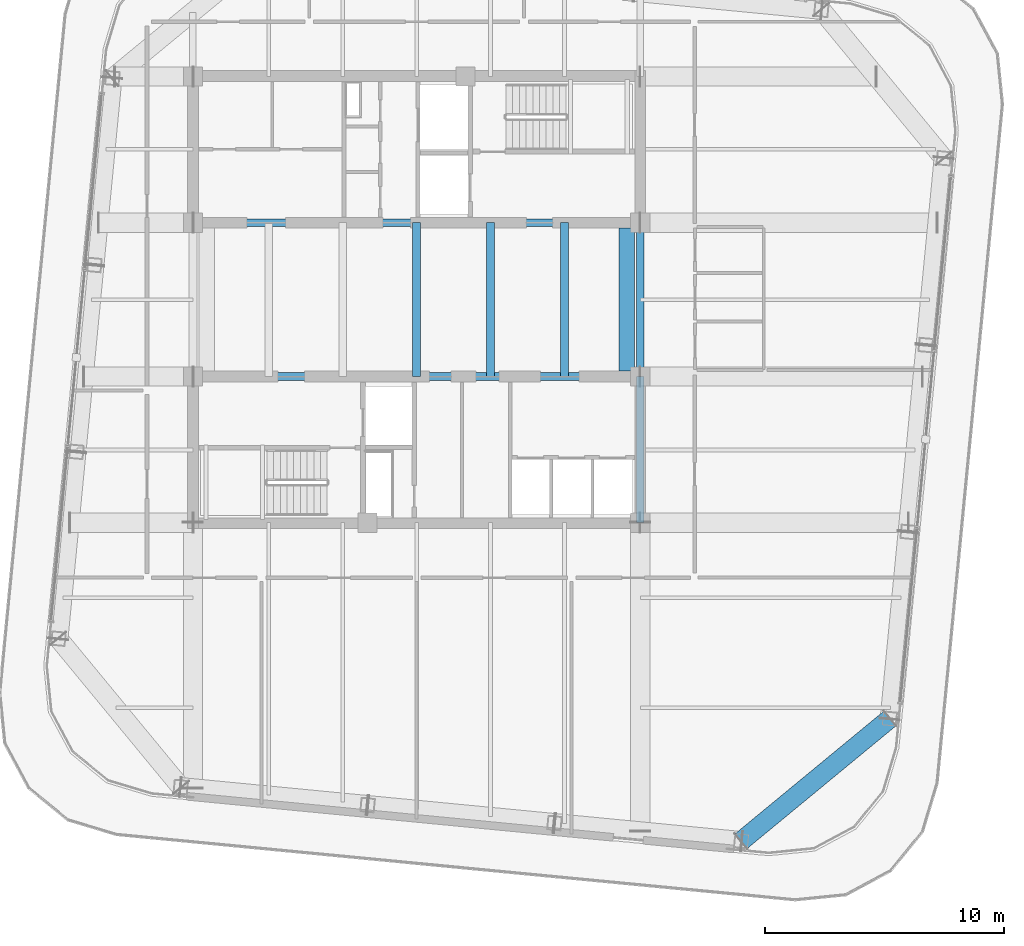
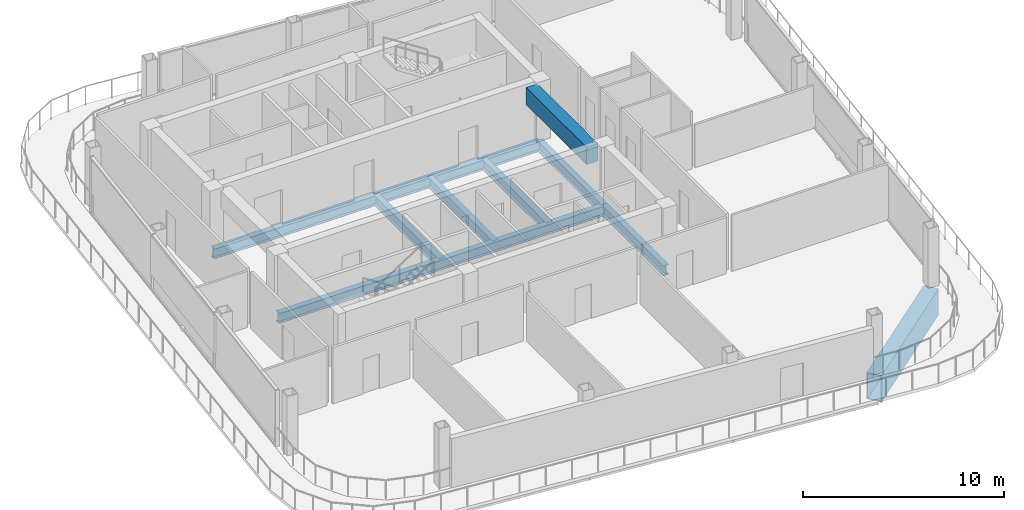
# One storey, part 5 of 20: 9 beams.
"""IFC4 building model written with IfcOpenShell, lengths in metres."""

from ifc_helpers import new_model, si_unit, direction, frame, origin, origin_2d, place, context, subcontext, project, spatial, rectangle, hollow_rectangle, i_section, extrude, material, material_profile, profile_set, type_object, element, save


model = new_model("IFC4")

# Units and contexts
model_context = context("Model", 3, precision=1e-05, world=origin(), true_north=direction((0.0, 1.0)))
body_context = subcontext(model_context, "Body", "Model", "MODEL_VIEW")
ifc_project = project(units=[si_unit("LENGTHUNIT", "METRE"), si_unit("AREAUNIT", "SQUARE_METRE"), si_unit("VOLUMEUNIT", "CUBIC_METRE"), si_unit("PLANEANGLEUNIT", "RADIAN"), si_unit("MASSUNIT", "GRAM", prefix="KILO")], contexts=[model_context])

# Site, building, storey
site_placement = place(None, origin())
site = spatial("IfcSite", under=ifc_project, at=site_placement, CompositionType="ELEMENT")
building_placement = place(site_placement, origin())
building = spatial("IfcBuilding", under=site, at=building_placement, Name="Qhalaya Broadcast Tower", CompositionType="ELEMENT")
storey_placement = place(building_placement, frame((0.0, 0.0, 273.35009765625)))
storey = spatial("IfcBuildingStorey", under=building, at=storey_placement, Name="L81", CompositionType="ELEMENT", Elevation=273.35009765625)

# Beams
ifc_material_1 = material(Name="Structural Steel ASTM A992 Grade 50", Category="steel")
ifc_material_profile_1 = material_profile(ifc_material_1, i_section(OverallWidth=0.323974609375, OverallDepth=0.612060546875, WebThickness=0.0126953125, FlangeThickness=0.01904296875, at=origin_2d()), Name="W24X104")
ifc_profile_set_1 = profile_set([ifc_material_profile_1], Name="Structural Steel ASTM A992 Grade 50")
beam_type_1 = type_object("IfcBeamType", Name="Core Frame Tie Beam B04", PredefinedType="BEAM", material=ifc_profile_set_1)
for number, where, z_axis, x_axis, name in (
    (1, (-9.375, 3.824951171875, -0.49609375), (1.0, 0.0, 0.0), (0.0, 1.0, 0.0), "L81 B04 L81-CCN1"),
    (2, (-9.375, -2.625, -0.49609375), (1.0, 0.0, 0.0), (0.0, 1.0, 0.0), "L81 B04 L81-CCS1"),
):
    element("IfcBeam", number, at=place(storey_placement, frame(where, z_axis=z_axis, x_axis=x_axis)), inside=storey, type_object=beam_type_1, Name=name, PredefinedType="BEAM", context=body_context, shape_type="SweptSolid", body=[
        extrude(i_section(OverallWidth=0.323974609375, OverallDepth=0.612060546875, WebThickness=0.0126953125, FlangeThickness=0.01904296875, at=origin_2d()), origin(), (0.0, 0.0, 1.0), 18.75),
    ])
beam_1_placement = place(storey_placement, frame((9.375, -8.75, -0.49609375), z_axis=(0.0, 1.0, 0.0), x_axis=(-1.0, 0.0, 0.0)))
element("IfcBeam", 3, at=beam_1_placement, inside=storey, type_object=beam_type_1, Name="L81 B04 L81-CCS2", PredefinedType="BEAM", context=body_context, shape_type="SweptSolid", body=[
    extrude(i_section(OverallWidth=0.323974609375, OverallDepth=0.612060546875, WebThickness=0.0126953125, FlangeThickness=0.01904296875, at=origin_2d()), origin(), (0.0, 0.0, 1.0), 6.125),
])
for number, where, z_axis, x_axis, name in (
    (4, (9.375, -2.625, -0.49609375), (0.0, 1.0, 0.0), (-1.0, 0.0, 0.0), "L81 B04 L81-CCE"),
    (5, (0.0, -2.625, -0.49609375), (0.0, 1.0, 0.0), (-1.0, 0.0, 0.0), "L81 B04 L81-JC3-1"),
    (6, (3.10009765625, -2.625, -0.49609375), (0.0, 1.0, 0.0), (-1.0, 0.0, 0.0), "L81 B04 L81-JC4-1"),
    (7, (6.199951171875, -2.625, -0.49609375), (0.0, 1.0, 0.0), (-1.0, 0.0, 0.0), "L81 B04 L81-JC5-1"),
):
    element("IfcBeam", number, at=place(storey_placement, frame(where, z_axis=z_axis, x_axis=x_axis)), inside=storey, type_object=beam_type_1, Name=name, PredefinedType="BEAM", context=body_context, shape_type="SweptSolid", body=[
        extrude(i_section(OverallWidth=0.323974609375, OverallDepth=0.612060546875, WebThickness=0.0126953125, FlangeThickness=0.01904296875, at=origin_2d()), origin(), (0.0, 0.0, 1.0), 6.449951171875),
    ])
ifc_material_2 = material(Name="Concrete C60/75", Category="concrete")
ifc_material_profile_2 = material_profile(ifc_material_2, rectangle(XDim=0.64990234375, YDim=1.050048828125, at=origin_2d()), Name="RC-CB 650x1050")
ifc_profile_set_2 = profile_set([ifc_material_profile_2], Name="Concrete C60/75")
beam_type_2 = type_object("IfcBeamType", Name="Split-Core RC Coupling Lintel CB1", PredefinedType="LINTEL", material=ifc_profile_set_2)
beam_2_placement = place(storey_placement, frame((8.800048828125, -2.39990234375, 2.885009765625), z_axis=(0.0, 1.0, 0.0), x_axis=(-1.0, 0.0, 0.0)))
element("IfcBeam", 8, at=beam_2_placement, inside=storey, type_object=beam_type_2, Name="L81 Core Coupling Lintel Beam E", PredefinedType="LINTEL", context=body_context, shape_type="SweptSolid", body=[
    extrude(rectangle(XDim=0.64990234375, YDim=1.050048828125, at=origin_2d()), origin(), (0.0, 0.0, 1.0), 6.0),
])
ifc_material_3 = material(Name="Structural Steel ASTM A572 Grade 50", Category="steel")
ifc_material_profile_3 = material_profile(ifc_material_3, hollow_rectangle(XDim=0.800048828125, YDim=1.60009765625, WallThickness=0.050048828125, at=origin_2d()), Name="BOX 800x1600x50")
ifc_profile_set_3 = profile_set([ifc_material_profile_3], Name="Structural Steel ASTM A572 Grade 50")
beam_type_3 = type_object("IfcBeamType", Name="Upper Cantilever Transfer Box Girder TG2", PredefinedType="USERDEFINED", material=ifc_profile_set_3)
beam_3_placement = place(storey_placement, frame((13.6083984375, -22.09033203125, -0.989990234375), z_axis=(0.771631160126, 0.636070241972, 0.0), x_axis=(-0.636070241972, 0.771631160126, 0.0)))
element("IfcBeam", 9, at=beam_3_placement, inside=storey, type_object=beam_type_3, Name="L81 TG2 L81-SPR-04", ObjectType="GIRDER", PredefinedType="USERDEFINED", context=body_context, shape_type="SweptSolid", body=[
    extrude(hollow_rectangle(XDim=0.800048828125, YDim=1.60009765625, WallThickness=0.050048828125, at=origin_2d()), origin(), (0.0, 0.0, 1.0), 8.06103515625),
])

save(model, "model.ifc")
